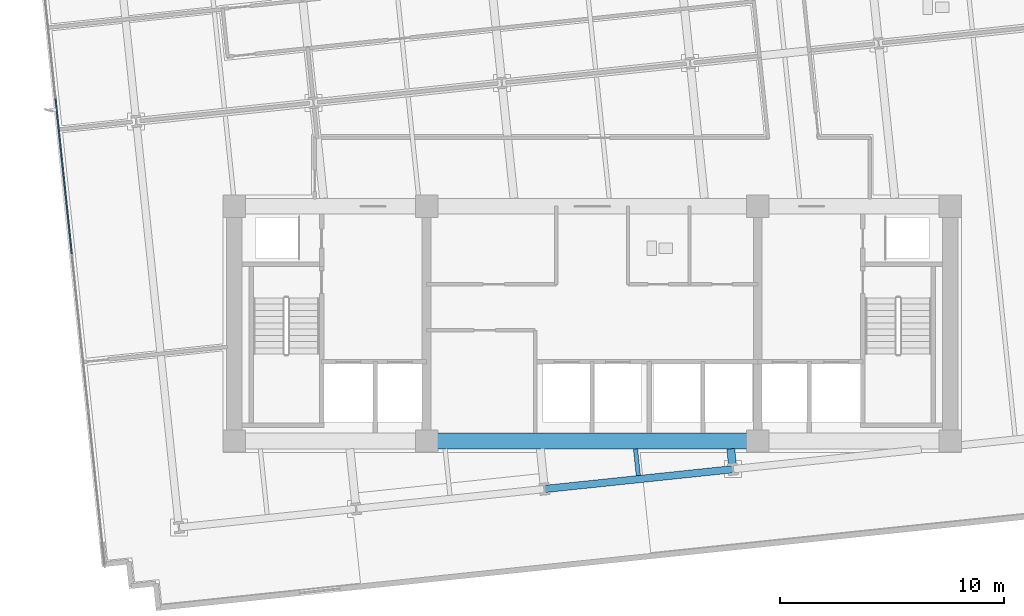
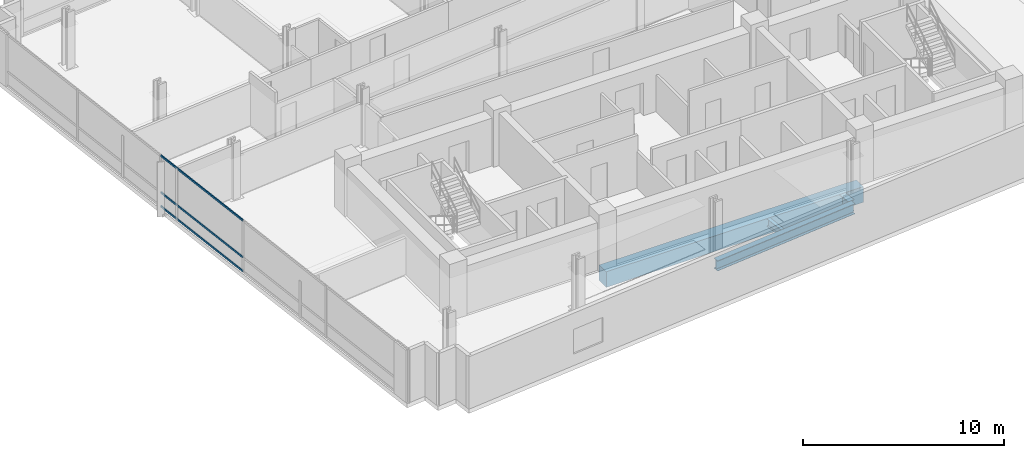
# One storey, part 3 of 21: 4 beams, 3 members, 1 element without a shape of its own.
"""IFC4 building model written with IfcOpenShell, lengths in metres."""

from ifc_helpers import new_model, si_unit, direction, frame, origin, origin_2d, place, context, subcontext, project, spatial, rectangle, i_section, extrude, material, material_profile, profile_set, type_object, element, aggregate, save


model = new_model("IFC4")

# Units and contexts
model_context = context("Model", 3, precision=1e-05, world=origin(), true_north=direction((0.0, 1.0)))
body_context = subcontext(model_context, "Body", "Model", "MODEL_VIEW")
ifc_project = project(units=[si_unit("LENGTHUNIT", "METRE"), si_unit("AREAUNIT", "SQUARE_METRE"), si_unit("VOLUMEUNIT", "CUBIC_METRE"), si_unit("PLANEANGLEUNIT", "RADIAN"), si_unit("MASSUNIT", "GRAM", prefix="KILO")], contexts=[model_context])

# Site, building, storey
site_placement = place(None, origin())
site = spatial("IfcSite", under=ifc_project, at=site_placement, CompositionType="ELEMENT")
building_placement = place(site_placement, origin())
building = spatial("IfcBuilding", under=site, at=building_placement, Name="Solmavex Isthmus Hotel", CompositionType="ELEMENT")
storey_placement = place(building_placement, frame((0.0, 0.0, 113.25)))
storey = spatial("IfcBuildingStorey", under=building, at=storey_placement, Name="L30", CompositionType="ELEMENT", Elevation=113.25)

# Beams
ifc_material_1 = material(Name="Steel ASTM A992 Grade 50", Category="steel")
ifc_material_profile_1 = material_profile(ifc_material_1, i_section(OverallWidth=0.354736328125, OverallDepth=0.695556640625, WebThickness=0.015380859375, FlangeThickness=0.02490234375, FilletRadius=0.017822265625, at=origin_2d()), Name="W27X146")
ifc_profile_set_1 = profile_set([ifc_material_profile_1], Name="Steel ASTM A992 Grade 50")
beam_type_1 = type_object("IfcBeamType", Name="BM-BG-W27X146", PredefinedType="BEAM", material=ifc_profile_set_1)
beam_1_placement = place(storey_placement, frame((6.27099609375, -14.09912109375, -0.607666015625), z_axis=(-0.104381041728, 0.99453737895, 0.0), x_axis=(-0.99453737895, -0.104381041728, 0.0)))
element("IfcBeam", 1, at=beam_1_placement, inside=storey, type_object=beam_type_1, Name="Floor Beam L30-VG36", PredefinedType="BEAM", context=body_context, shape_type="SweptSolid", body=[
    extrude(i_section(OverallWidth=0.354736328125, OverallDepth=0.695556640625, WebThickness=0.015380859375, FlangeThickness=0.02490234375, FilletRadius=0.017822265625, at=origin_2d()), origin(), (0.0, 0.0, 1.0), 0.753173828125),
])
ifc_material_profile_2 = material_profile(ifc_material_1, i_section(OverallWidth=0.1904296875, OverallDepth=0.456787109375, WebThickness=0.009033203125, FlangeThickness=0.014404296875, FilletRadius=0.0126953125, at=origin_2d()), Name="W18X50")
ifc_profile_set_2 = profile_set([ifc_material_profile_2], Name="Steel ASTM A992 Grade 50")
beam_type_2 = type_object("IfcBeamType", Name="BM-BJ-W18X50", PredefinedType="JOIST", material=ifc_profile_set_2)
beam_2_placement = place(storey_placement, frame((2.061279296875, -14.54150390625, -0.488525390625), z_axis=(-0.104546872872, 0.994519960269, 0.0), x_axis=(-0.994519960269, -0.104546872872, 0.0)))
element("IfcBeam", 2, at=beam_2_placement, inside=storey, type_object=beam_type_2, Name="Secondary Floor Joist L30-J09", PredefinedType="JOIST", context=body_context, shape_type="SweptSolid", body=[
    extrude(i_section(OverallWidth=0.1904296875, OverallDepth=0.456787109375, WebThickness=0.009033203125, FlangeThickness=0.014404296875, FilletRadius=0.0126953125, at=origin_2d()), origin(), (0.0, 0.0, 1.0), 1.197998046875),
])
ifc_material_2 = material(Name="Concrete C60/75", Category="concrete")
ifc_material_profile_3 = material_profile(ifc_material_2, rectangle(XDim=0.699951171875, YDim=0.949951171875, at=origin_2d()), Name="RC700X950")
ifc_profile_set_3 = profile_set([ifc_material_profile_3], Name="Concrete C60/75")
beam_type_3 = type_object("IfcBeamType", Name="BM-CB-700X950", PredefinedType="BEAM", material=ifc_profile_set_3)
beam_3_placement = place(storey_placement, frame((-7.39990234375, -13.0, -0.735107421875), z_axis=(1.0, 0.0, 0.0), x_axis=(0.0, 1.0, 0.0)))
element("IfcBeam", 3, at=beam_3_placement, inside=storey, type_object=beam_type_3, Name="Core Coupling Beam L30-CB2", PredefinedType="BEAM", context=body_context, shape_type="SweptSolid", body=[
    extrude(rectangle(XDim=0.699951171875, YDim=0.949951171875, at=origin_2d()), origin(), (0.0, 0.0, 1.0), 14.7998046875),
])
ifc_material_profile_4 = material_profile(ifc_material_1, i_section(OverallWidth=0.326416015625, OverallDepth=0.621826171875, WebThickness=0.015380859375, FlangeThickness=0.0244140625, FilletRadius=0.01513671875, at=origin_2d()), Name="W24X131")
ifc_profile_set_4 = profile_set([ifc_material_profile_4], Name="Steel ASTM A992 Grade 50")
beam_type_4 = type_object("IfcBeamType", Name="BM-SP-W24X131", PredefinedType="SPANDREL", material=ifc_profile_set_4)
beam_4_placement = place(storey_placement, frame((-2.131591796875, -15.146484375, -0.57080078125), z_axis=(0.994521085209, 0.104536171134, 0.0), x_axis=(-0.104536171134, 0.994521085209, 0.0)))
element("IfcBeam", 4, at=beam_4_placement, inside=storey, type_object=beam_type_4, Name="Floor Girder L30-UG03", PredefinedType="SPANDREL", context=body_context, shape_type="SweptSolid", body=[
    extrude(i_section(OverallWidth=0.326416015625, OverallDepth=0.621826171875, WebThickness=0.015380859375, FlangeThickness=0.0244140625, FilletRadius=0.01513671875, at=origin_2d()), origin(), (0.0, 0.0, 1.0), 8.466064453125),
])

# Curtain wall, members
ifc_material_3 = material(Name="Aluminium alloy 6063-T6", Category="aluminium")
curtain_wall_type = type_object("IfcCurtainWallType", Name="CW-SYS-06", PredefinedType="NOTDEFINED", material=ifc_material_3)
curtain_wall_placement = place(storey_placement, origin())
curtain_wall = element("IfcCurtainWall", 5, at=curtain_wall_placement, inside=storey, type_object=curtain_wall_type, Name="Stick Curtain Wall CWL-L30-W1", PredefinedType="NOTDEFINED")
ifc_material_profile_5 = material_profile(ifc_material_3, rectangle(XDim=0.06005859375, YDim=0.114990234375, at=origin_2d()), Name="CWT-60X115")
ifc_profile_set_5 = profile_set([ifc_material_profile_5], Name="Aluminium alloy 6063-T6")
member_type = type_object("IfcMemberType", Name="CW-SYS-06-TRN", PredefinedType="USERDEFINED", material=ifc_profile_set_5)
member_1_placement = place(storey_placement, frame((-23.2607421875, -4.62744140625, 0.0576171875), z_axis=(-0.104531402636, 0.994521586424, 0.0), x_axis=(-0.994521586424, -0.104531402636, 0.0)))
member_1 = element("IfcMember", 6, at=member_1_placement, type_object=member_type, Name="CW-06 transom 3.1", ObjectType="TRANSOM", PredefinedType="USERDEFINED", context=body_context, shape_type="SweptSolid", body=[
    extrude(rectangle(XDim=0.06005859375, YDim=0.114990234375, at=origin_2d()), origin(), (0.0, 0.0, 1.0), 6.9599609375),
])
member_2_placement = place(storey_placement, frame((-23.2607421875, -4.62744140625, 0.89990234375), z_axis=(-0.104531402636, 0.994521586424, 0.0), x_axis=(-0.994521586424, -0.104531402636, 0.0)))
member_2 = element("IfcMember", 7, at=member_2_placement, type_object=member_type, Name="CW-06 transom 3.2", ObjectType="TRANSOM", PredefinedType="USERDEFINED", context=body_context, shape_type="SweptSolid", body=[
    extrude(rectangle(XDim=0.06005859375, YDim=0.114990234375, at=origin_2d()), origin(), (0.0, 0.0, 1.0), 6.9599609375),
])
member_3_placement = place(storey_placement, frame((-23.2607421875, -4.62744140625, 3.132568359375), z_axis=(-0.104531402636, 0.994521586424, 0.0), x_axis=(-0.994521586424, -0.104531402636, 0.0)))
member_3 = element("IfcMember", 8, at=member_3_placement, type_object=member_type, Name="CW-06 transom 3.3", ObjectType="TRANSOM", PredefinedType="USERDEFINED", context=body_context, shape_type="SweptSolid", body=[
    extrude(rectangle(XDim=0.06005859375, YDim=0.114990234375, at=origin_2d()), origin(), (0.0, 0.0, 1.0), 6.9599609375),
])
aggregate(curtain_wall, [member_1, member_2, member_3])

save(model, "model.ifc")
